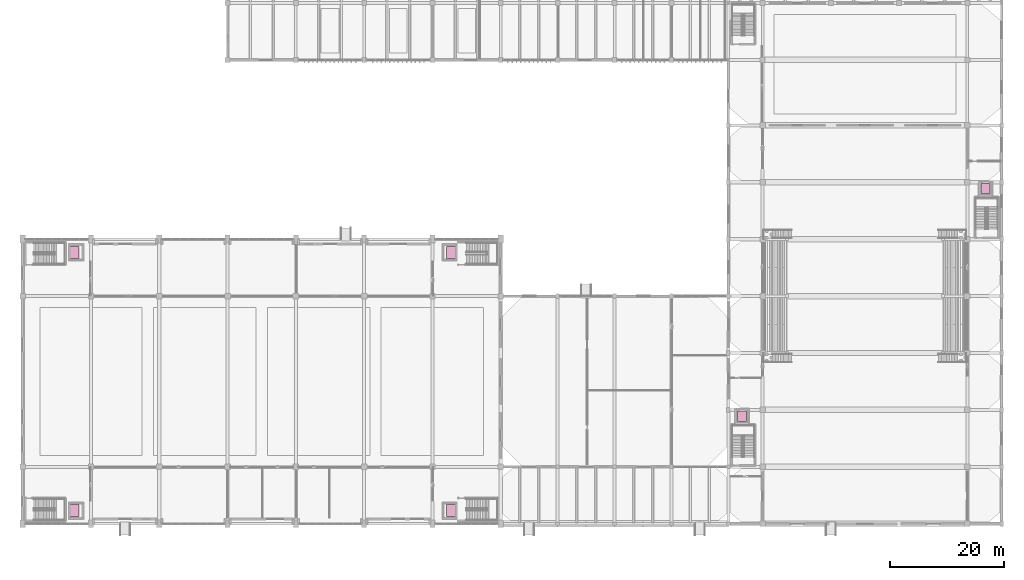
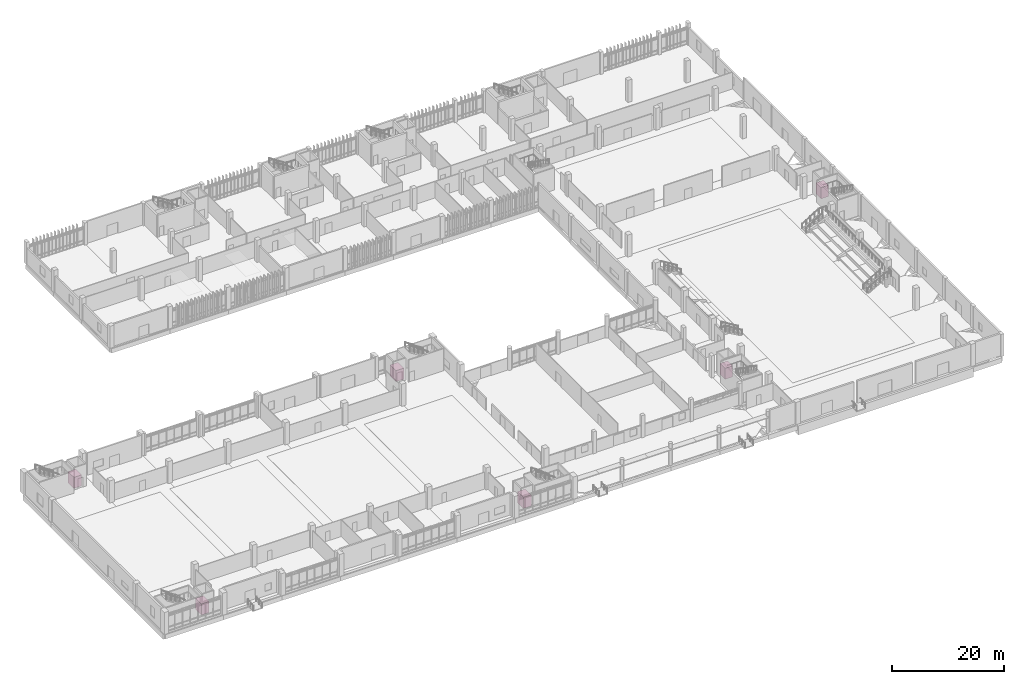
# One storey, part 87 of 87: 6 transport elements.
"""IFC4 building model written with IfcOpenShell, lengths in metres."""

from ifc_helpers import new_model, si_unit, direction, frame, origin, origin_2d, place, context, subcontext, project, spatial, rectangle, extrude, material, type_object, element, save


model = new_model("IFC4")

# Units and contexts
model_context = context("Model", 3, precision=1e-05, world=origin(), true_north=direction((0.0, 1.0)))
body_context = subcontext(model_context, "Body", "Model", "MODEL_VIEW")
ifc_project = project(units=[si_unit("LENGTHUNIT", "METRE"), si_unit("AREAUNIT", "SQUARE_METRE"), si_unit("VOLUMEUNIT", "CUBIC_METRE"), si_unit("PLANEANGLEUNIT", "RADIAN"), si_unit("MASSUNIT", "GRAM", prefix="KILO")], contexts=[model_context])

# Site, building, storey
site_placement = place(None, origin())
site = spatial("IfcSite", under=ifc_project, at=site_placement, CompositionType="ELEMENT")
building_placement = place(site_placement, origin())
building = spatial("IfcBuilding", under=site, at=building_placement, Name="Mersad Railyard Sports Hall", CompositionType="ELEMENT")
storey_placement = place(building_placement, origin())
storey = spatial("IfcBuildingStorey", under=building, at=storey_placement, Name="L00", CompositionType="ELEMENT", Elevation=0.0)

# Transport elements
ifc_material = material(Name="Steel S355", Category="steel")
transport_element_type_1 = type_object("IfcTransportElementType", Name="ARC-LF-PL1", PredefinedType="ELEVATOR", material=ifc_material)
for number, where, z_axis, x_axis, name in (
    (1, (16.10009765625, 5.800048828125, 0.0), (0.0, 0.0, 1.0), (1.0, 0.0, 0.0), "Rooftop pitch SW passenger lift PL-07"),
    (2, (82.300048828125, 5.800048828125, 0.0), (0.0, 0.0, 1.0), (1.0, 0.0, 0.0), "Rooftop pitch SE passenger lift PL-08"),
    (3, (16.10009765625, 51.199951171875, 0.0), (0.0, 0.0, 1.0), (1.0, 0.0, 0.0), "Rooftop pitch NW passenger lift PL-09"),
    (4, (82.300048828125, 51.199951171875, 0.0), (0.0, 0.0, 1.0), (1.0, 0.0, 0.0), "Rooftop pitch NE passenger lift PL-10"),
):
    element("IfcTransportElement", number, at=place(storey_placement, frame(where, z_axis=z_axis, x_axis=x_axis)), inside=storey, type_object=transport_element_type_1, Name=name, PredefinedType="ELEVATOR", context=body_context, shape_type="SweptSolid", body=[
        extrude(rectangle(XDim=1.60009765625, YDim=2.10009765625, at=origin_2d()), origin(), (0.0, 0.0, 1.0), 2.39990234375),
    ])
transport_element_type_2 = type_object("IfcTransportElementType", Name="ARC-LF-PL2", PredefinedType="ELEVATOR", material=ifc_material)
for number, where, z_axis, x_axis, name in (
    (5, (133.39990234375, 22.39990234375, 0.0), (0.0, 0.0, 1.0), (1.0, 0.0, 0.0), "Show court west passenger lift PL-05"),
    (6, (176.199951171875, 62.39990234375, 0.0), (0.0, 0.0, 1.0), (1.0, 0.0, 0.0), "Show court east passenger lift PL-06"),
):
    element("IfcTransportElement", number, at=place(storey_placement, frame(where, z_axis=z_axis, x_axis=x_axis)), inside=storey, type_object=transport_element_type_2, Name=name, PredefinedType="ELEVATOR", context=body_context, shape_type="SweptSolid", body=[
        extrude(rectangle(XDim=1.550048828125, YDim=1.800048828125, at=origin_2d()), origin(), (0.0, 0.0, 1.0), 2.39990234375),
    ])

save(model, "model.ifc")
